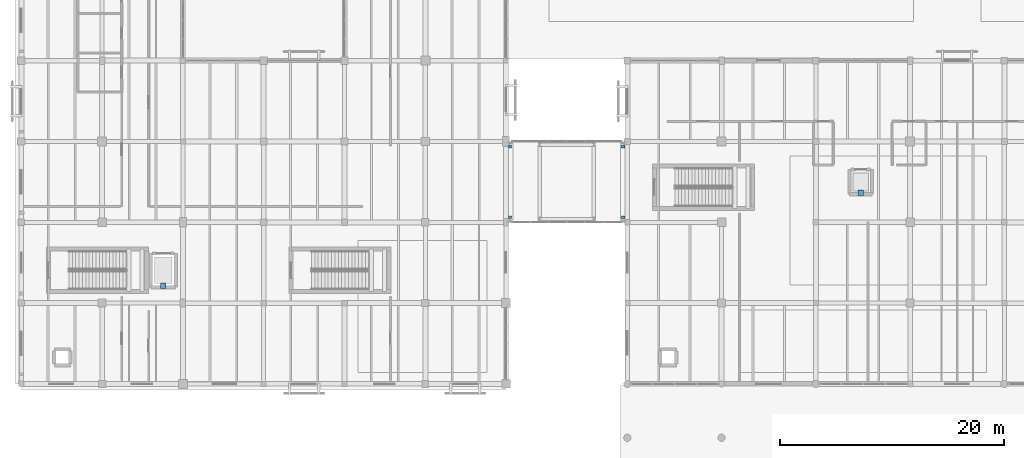
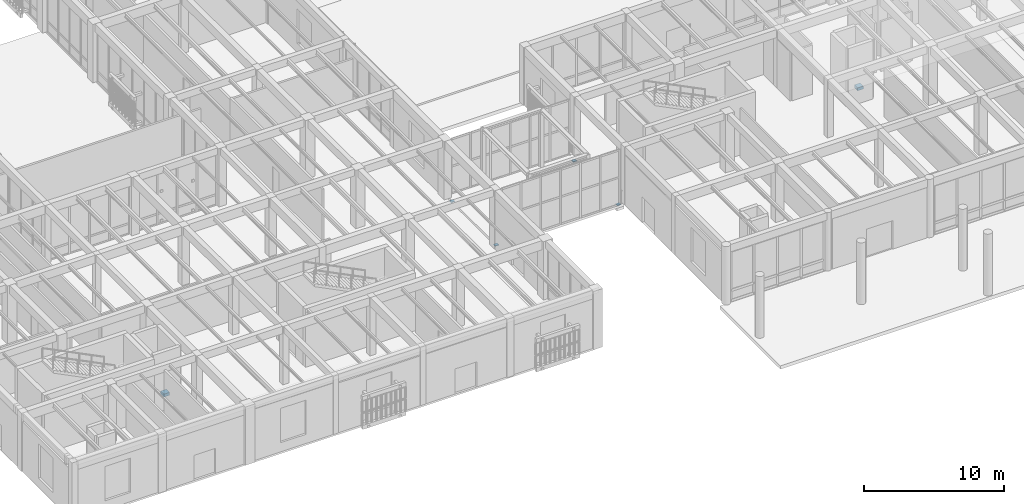
# One storey, part 138 of 169: 6 discrete accessories.
"""IFC4 building model written with IfcOpenShell, lengths in metres."""

from ifc_helpers import new_model, si_unit, direction, frame, origin, origin_2d, place, context, subcontext, project, spatial, rectangle, extrude, material, type_object, element, save


model = new_model("IFC4")

# Units and contexts
model_context = context("Model", 3, precision=1e-05, world=origin(), true_north=direction((0.0, 1.0)))
body_context = subcontext(model_context, "Body", "Model", "MODEL_VIEW")
ifc_project = project(units=[si_unit("LENGTHUNIT", "METRE"), si_unit("AREAUNIT", "SQUARE_METRE"), si_unit("VOLUMEUNIT", "CUBIC_METRE"), si_unit("PLANEANGLEUNIT", "RADIAN"), si_unit("MASSUNIT", "GRAM", prefix="KILO")], contexts=[model_context])

# Site, building, storey
site_placement = place(None, origin())
site = spatial("IfcSite", under=ifc_project, at=site_placement, CompositionType="ELEMENT")
building_placement = place(site_placement, origin())
building = spatial("IfcBuilding", under=site, at=building_placement, Name="Mazaris Harbour Polytechnic", CompositionType="ELEMENT")
storey_placement = place(building_placement, origin())
storey = spatial("IfcBuildingStorey", under=building, at=storey_placement, Name="L00", CompositionType="ELEMENT", Elevation=0.0)

# Discrete accessories
ifc_material_1 = material(Name="Steel S355", Category="steel")
discrete_accessory_type_1 = type_object("IfcDiscreteAccessoryType", Name="PTFE Sliding Bridge Bearing 300x250x65 Exterior", PredefinedType="BRACKET", material=ifc_material_1)
for number, where, z_axis, x_axis, name in (
    (1, (43.550048828125, 22.050048828125, -0.330078125), (0.0, 0.0, 1.0), (1.0, 0.0, 0.0), "PB-W1 L00 PTFE Sliding Bearing W1"),
    (2, (43.550048828125, 28.35009765625, -0.330078125), (0.0, 0.0, 1.0), (1.0, 0.0, 0.0), "PB-W1 L00 PTFE Sliding Bearing W2"),
    (3, (53.64990234375, 22.050048828125, -0.330078125), (0.0, 0.0, 1.0), (1.0, 0.0, 0.0), "PB-W1 L00 PTFE Sliding Bearing E1"),
    (4, (53.64990234375, 28.35009765625, -0.330078125), (0.0, 0.0, 1.0), (1.0, 0.0, 0.0), "PB-W1 L00 PTFE Sliding Bearing E2"),
):
    element("IfcDiscreteAccessory", number, at=place(storey_placement, frame(where, z_axis=z_axis, x_axis=x_axis)), inside=storey, type_object=discrete_accessory_type_1, Name=name, PredefinedType="BRACKET", context=body_context, shape_type="SweptSolid", body=[
        extrude(rectangle(XDim=0.300048828125, YDim=0.25, at=origin_2d()), origin(), (0.0, 0.0, 1.0), 0.06494140625),
    ])
ifc_material_2 = material(Name="Stainless Steel S355", Category="steel")
discrete_accessory_type_2 = type_object("IfcDiscreteAccessoryType", Name="Stainless Lift Guide Rail Bracket 480x480x240", PredefinedType="BRACKET", material=ifc_material_2)
for number, where, z_axis, x_axis, name in (
    (5, (12.64990234375, 15.945068359375, 1.1298828125), (0.0, 0.0, 1.0), (1.0, 0.0, 0.0), "Lift LF-01 Guide Rail Bracket"),
    (6, (74.800048828125, 24.219970703125, 1.1298828125), (0.0, 0.0, 1.0), (1.0, 0.0, 0.0), "Lift LP-03 Guide Rail Bracket"),
):
    element("IfcDiscreteAccessory", number, at=place(storey_placement, frame(where, z_axis=z_axis, x_axis=x_axis)), inside=storey, type_object=discrete_accessory_type_2, Name=name, PredefinedType="BRACKET", context=body_context, shape_type="SweptSolid", body=[
        extrude(rectangle(XDim=0.47998046875, YDim=0.47998046875, at=origin_2d()), origin(), (0.0, 0.0, 1.0), 0.239990234375),
    ])

save(model, "model.ifc")
